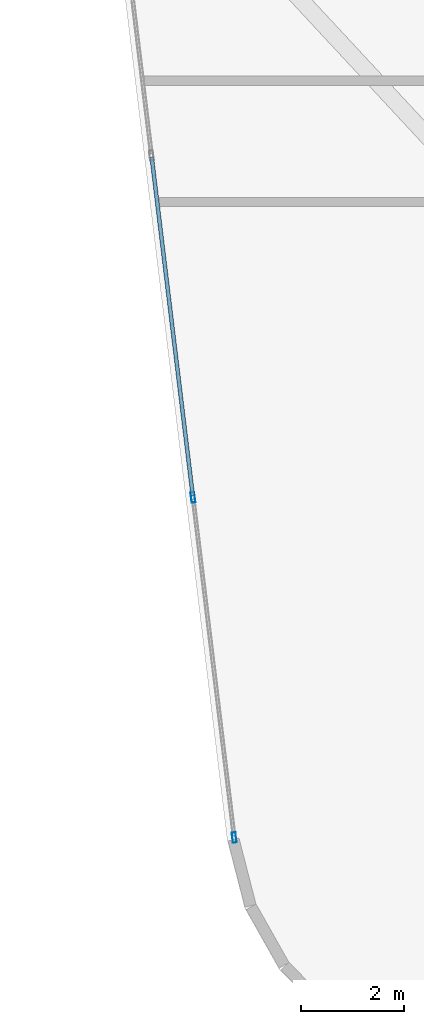
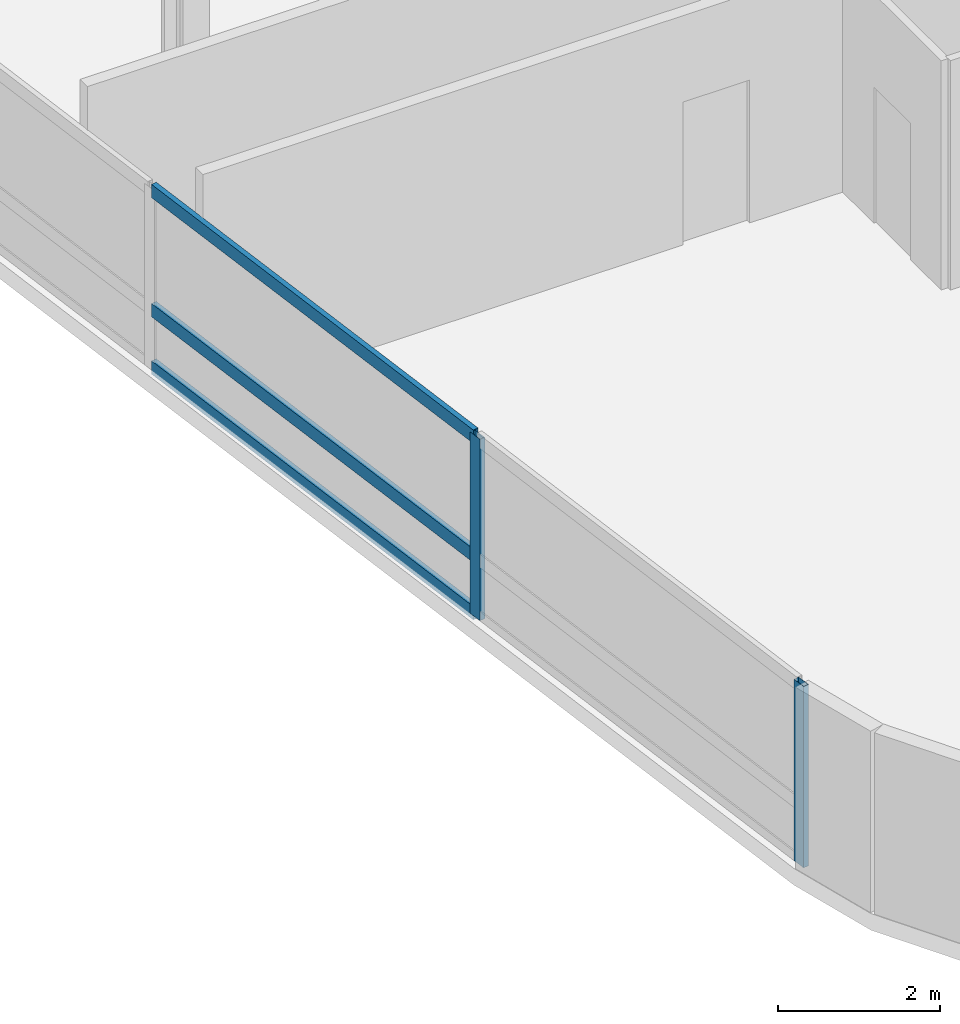
# One storey, part 2 of 23: 5 members, 1 element without a shape of its own.
"""IFC4 building model written with IfcOpenShell, lengths in metres."""

from ifc_helpers import new_model, si_unit, direction, frame, origin, origin_2d, place, context, subcontext, project, spatial, hollow_rectangle, extrude, material, layer, layer_set, material_profile, profile_set, type_object, element, aggregate, save


model = new_model("IFC4")

# Units and contexts
model_context = context("Model", 3, precision=1e-05, world=origin(), true_north=direction((0.0, 1.0)))
body_context = subcontext(model_context, "Body", "Model", "MODEL_VIEW")
ifc_project = project(units=[si_unit("LENGTHUNIT", "METRE"), si_unit("AREAUNIT", "SQUARE_METRE"), si_unit("VOLUMEUNIT", "CUBIC_METRE"), si_unit("PLANEANGLEUNIT", "RADIAN"), si_unit("MASSUNIT", "GRAM", prefix="KILO")], contexts=[model_context])

# Site, building, storey
site_placement = place(None, origin())
site = spatial("IfcSite", under=ifc_project, at=site_placement, CompositionType="ELEMENT")
building_placement = place(site_placement, origin())
building = spatial("IfcBuilding", under=site, at=building_placement, Name="Varnelok Gate Tower", CompositionType="ELEMENT")
storey_placement = place(building_placement, frame((0.0, 0.0, 170.89990234375)))
storey = spatial("IfcBuildingStorey", under=building, at=storey_placement, Name="L43", CompositionType="ELEMENT", Elevation=170.89990234375)

# Curtain wall, members
ifc_material = material(Name="Anodized Aluminum Alloy 6063-T6", Category="aluminium")
ifc_layer = layer(ifc_material, 0.179931640625)
ifc_layer_set = layer_set([ifc_layer], Name="Anodized Aluminum Alloy 6063-T6")
curtain_wall_type = type_object("IfcCurtainWallType", Name="CW4-RESIDENCE-VISION", PredefinedType="USERDEFINED", material=ifc_layer_set)
curtain_wall_placement = place(storey_placement, origin())
curtain_wall = element("IfcCurtainWall", 1, at=curtain_wall_placement, inside=storey, type_object=curtain_wall_type, Name="L43 West End Vision Curtain Wall", ObjectType="UNITISED CURTAIN WALL", PredefinedType="USERDEFINED")
ifc_material_profile_1 = material_profile(ifc_material, hollow_rectangle(XDim=0.074951171875, YDim=0.199951171875, WallThickness=0.00390625, at=origin_2d()), Name="ALU200X75X4")
ifc_profile_set_1 = profile_set([ifc_material_profile_1], Name="Anodized Aluminum Alloy 6063-T6")
member_type_1 = type_object("IfcMemberType", Name="CW-MULL-200", PredefinedType="MULLION", material=ifc_profile_set_1)
member_1_placement = place(storey_placement, frame((6.30078125, 4.52734375, 0.0), z_axis=(0.0, 0.0, 1.0), x_axis=(-0.992732188751, -0.120344511371, 0.0)))
member_1 = element("IfcMember", 2, at=member_1_placement, type_object=member_type_1, Name="CW4 mullion 1", PredefinedType="MULLION", context=body_context, shape_type="SweptSolid", body=[
    extrude(hollow_rectangle(XDim=0.074951171875, YDim=0.199951171875, WallThickness=0.00390625, at=origin_2d()), origin(), (0.0, 0.0, 1.0), 2.72998046875),
])
member_2_placement = place(storey_placement, frame((5.50146484375, 11.12158203125, 0.0), z_axis=(0.0, 0.0, 1.0), x_axis=(-0.992732188751, -0.120344511371, 0.0)))
member_2 = element("IfcMember", 3, at=member_2_placement, type_object=member_type_1, Name="CW4 mullion 2", PredefinedType="MULLION", context=body_context, shape_type="SweptSolid", body=[
    extrude(hollow_rectangle(XDim=0.074951171875, YDim=0.199951171875, WallThickness=0.00390625, at=origin_2d()), origin(), (0.0, 0.0, 1.0), 2.72998046875),
])
ifc_material_profile_2 = material_profile(ifc_material, hollow_rectangle(XDim=0.074951171875, YDim=0.199951171875, WallThickness=0.00390625, at=origin_2d()), Name="ALU200X75X4")
ifc_profile_set_2 = profile_set([ifc_material_profile_2], Name="Anodized Aluminum Alloy 6063-T6")
member_type_2 = type_object("IfcMemberType", Name="CW-TRAN-200", PredefinedType="USERDEFINED", material=ifc_profile_set_2)
member_3_placement = place(storey_placement, frame((5.496826171875, 11.15869140625, 0.03759765625), z_axis=(-0.120349029092, 0.992731641078, 0.0), x_axis=(-0.992731641078, -0.120349029092, 0.0)))
member_3 = element("IfcMember", 4, at=member_3_placement, type_object=member_type_2, Name="CW4 transom 2.1", ObjectType="TRANSOM", PredefinedType="USERDEFINED", context=body_context, shape_type="SweptSolid", body=[
    extrude(hollow_rectangle(XDim=0.074951171875, YDim=0.199951171875, WallThickness=0.00390625, at=origin_2d()), origin(), (0.0, 0.0, 1.0), 6.605224609375),
])
member_4_placement = place(storey_placement, frame((5.496826171875, 11.15869140625, 0.900146484375), z_axis=(-0.120349029092, 0.992731641078, 0.0), x_axis=(-0.992731641078, -0.120349029092, 0.0)))
member_4 = element("IfcMember", 5, at=member_4_placement, type_object=member_type_2, Name="CW4 transom 2.2", ObjectType="TRANSOM", PredefinedType="USERDEFINED", context=body_context, shape_type="SweptSolid", body=[
    extrude(hollow_rectangle(XDim=0.074951171875, YDim=0.199951171875, WallThickness=0.00390625, at=origin_2d()), origin(), (0.0, 0.0, 1.0), 6.605224609375),
])
member_5_placement = place(storey_placement, frame((5.496826171875, 11.15869140625, 2.692626953125), z_axis=(-0.120349029092, 0.992731641078, 0.0), x_axis=(-0.992731641078, -0.120349029092, 0.0)))
member_5 = element("IfcMember", 6, at=member_5_placement, type_object=member_type_2, Name="CW4 transom 2.3", ObjectType="TRANSOM", PredefinedType="USERDEFINED", context=body_context, shape_type="SweptSolid", body=[
    extrude(hollow_rectangle(XDim=0.074951171875, YDim=0.199951171875, WallThickness=0.00390625, at=origin_2d()), origin(), (0.0, 0.0, 1.0), 6.605224609375),
])
aggregate(curtain_wall, [member_1, member_2, member_3, member_4, member_5])

save(model, "model.ifc")
